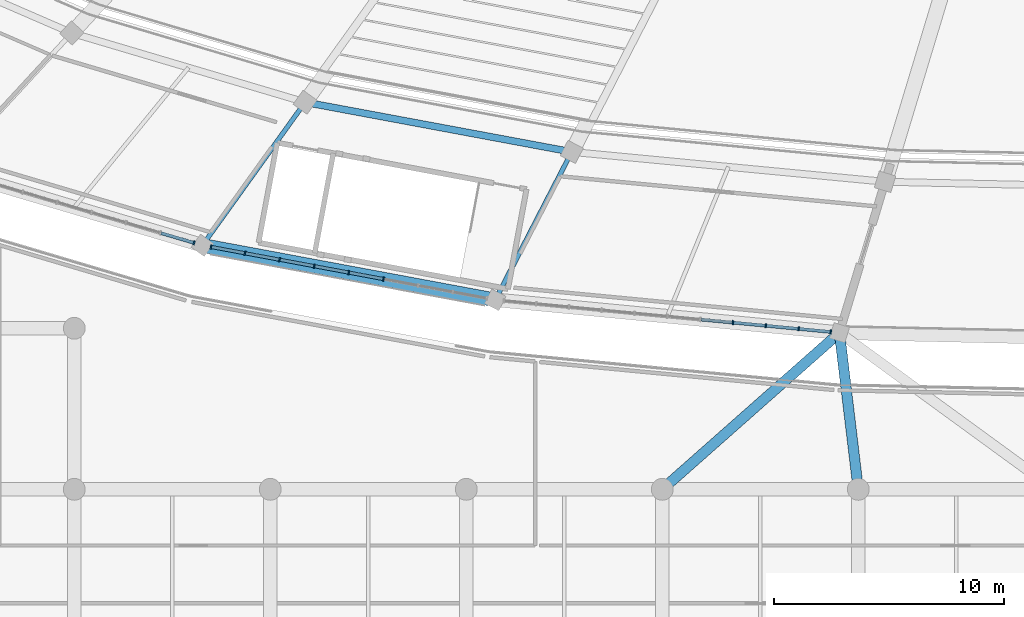
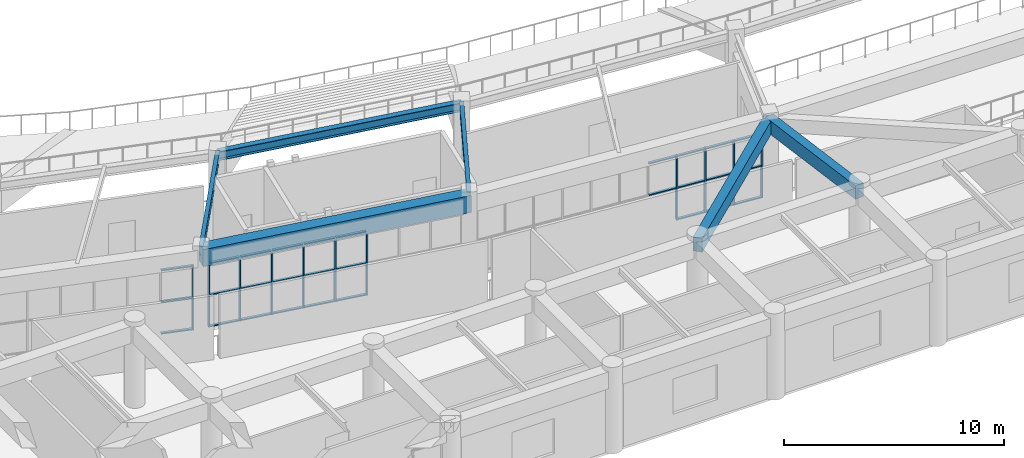
# One storey, part 22 of 137: 40 members, 6 beams, 3 elements without a shape of their own.
"""IFC4 building model written with IfcOpenShell, lengths in metres."""

import ifcopenshell
import ifcopenshell.guid

model = None  # the IFC model being written
_history = None  # IfcOwnerHistory: only IFC2X3 demands one
_inside = {}  # id of a spatial element -> (the spatial element, [elements in it])
_under = {}  # id of a project, library or spatial element -> (it, [spatial elements below it])
_declared = {}  # id of a project -> (the project, [libraries it declares])
_typed = {}  # id of a type object -> (the type object, [elements of that type])
_made_of = {}  # id of a material, layer set ... -> (it, [elements and type objects made of it])


def new_model(schema):
    """Start an empty IFC model of exactly this schema.

    Asked for "IFC4X3", IfcOpenShell would pick the latest addendum, in which some entities
    have other attributes; the version numbers below select the first issue.
    IFC2X3 requires an IfcOwnerHistory on every rooted entity: one is made here for all.
    """
    global model, _history
    if schema == "IFC4X3":
        model = ifcopenshell.file(schema_version=(4, 3, 0, 0))
    else:
        model = ifcopenshell.file(schema=schema)
    _inside.clear()
    _under.clear()
    _declared.clear()
    _typed.clear()
    _made_of.clear()
    _history = None
    if model.schema == "IFC2X3":
        org = make("IfcOrganization", Name="unknown")
        user = make(
            "IfcPersonAndOrganization",
            ThePerson=make("IfcPerson", FamilyName="unknown"),
            TheOrganization=org,
        )
        app = make(
            "IfcApplication",
            ApplicationDeveloper=org,
            Version="unknown",
            ApplicationFullName="unknown",
            ApplicationIdentifier="unknown",
        )
        _history = make(
            "IfcOwnerHistory",
            OwningUser=user,
            OwningApplication=app,
            ChangeAction="ADDED",
            CreationDate=0,
        )
    return model


def make(cls, **values):
    """One entity of the class cls with the attributes given. An attribute that is None is left unset."""
    return model.create_entity(
        cls, **{name: value for name, value in values.items() if value is not None}
    )


def rooted(cls, **values):
    """An entity with a GlobalId (a new one), such as an element, a storey or a relation."""
    return make(cls, GlobalId=ifcopenshell.guid.new(), OwnerHistory=_history, **values)


def si_unit(unit_type, name, prefix=None):
    """IfcSIUnit, for example si_unit("LENGTHUNIT", "METRE", prefix="MILLI")."""
    return make("IfcSIUnit", UnitType=unit_type, Prefix=prefix, Name=name)


def assignment(units):
    """IfcUnitAssignment: the units of a project."""
    return None if units is None else make("IfcUnitAssignment", Units=units)


def point(xyz):
    """IfcCartesianPoint."""
    return None if xyz is None else make("IfcCartesianPoint", Coordinates=xyz)


def direction(xyz):
    """IfcDirection."""
    return None if xyz is None else make("IfcDirection", DirectionRatios=xyz)


def frame(location, z_axis=None, x_axis=None):
    """IfcAxis2Placement3D, a coordinate frame: its origin and axes. An axis left out is left unset."""
    return make(
        "IfcAxis2Placement3D",
        Location=point(location),
        Axis=direction(z_axis),
        RefDirection=direction(x_axis),
    )


def frame_2d(location, x_axis=None):
    """IfcAxis2Placement2D, a coordinate frame in the plane: its origin and x axis."""
    return make(
        "IfcAxis2Placement2D", Location=point(location), RefDirection=direction(x_axis)
    )


def origin():
    """The frame at (0, 0, 0) with its axes left unset."""
    return frame((0.0, 0.0, 0.0))


def origin_2d():
    """The frame at (0, 0) in the plane with its x axis left unset."""
    return frame_2d((0.0, 0.0))


def place(relative_to, where):
    """IfcLocalPlacement: puts the frame where relative to a parent placement (None: the world)."""
    return make(
        "IfcLocalPlacement", PlacementRelTo=relative_to, RelativePlacement=where
    )


def context(
    kind, dimensions, precision=None, world=None, true_north=None, identifier=None
):
    """IfcGeometricRepresentationContext, for example the 3D "Model" context."""
    return make(
        "IfcGeometricRepresentationContext",
        ContextIdentifier=identifier,
        ContextType=kind,
        CoordinateSpaceDimension=dimensions,
        Precision=precision,
        WorldCoordinateSystem=world,
        TrueNorth=true_north,
    )


def subcontext(parent, identifier, kind, view, scale=None):
    """IfcGeometricRepresentationSubContext, for example "Body" below "Model"."""
    return make(
        "IfcGeometricRepresentationSubContext",
        ContextIdentifier=identifier,
        ContextType=kind,
        ParentContext=parent,
        TargetScale=scale,
        TargetView=view,
    )


def project(units=None, contexts=None):
    """IfcProject with its units and contexts."""
    return rooted(
        "IfcProject",
        Name="project",
        RepresentationContexts=contexts,
        UnitsInContext=assignment(units),
    )


def spatial(cls, under=None, at=None, **own):
    """A site, building, storey or space (cls), placed at a placement, below another one or the project."""
    s = rooted(cls, ObjectPlacement=at, **own)
    if under is not None:
        _under.setdefault(under.id(), (under, []))[1].append(s)
    return s


def profile(cls, at=None, kind="AREA", **sizes):
    """A parametric profile (cls). Its sizes go by their IFC names, for example OverallWidth=200.0."""
    return make(cls, ProfileType=kind, Position=at, **sizes)


def rectangle(**sizes):
    """IfcRectangleProfileDef."""
    return profile("IfcRectangleProfileDef", **sizes)


def i_section(**sizes):
    """IfcIShapeProfileDef."""
    return profile("IfcIShapeProfileDef", **sizes)


def extrude(swept, where, along, depth):
    """IfcExtrudedAreaSolid: the profile swept, set in the frame where, extruded along a direction by depth."""
    return make(
        "IfcExtrudedAreaSolid",
        SweptArea=swept,
        Position=where,
        ExtrudedDirection=direction(along),
        Depth=depth,
    )


def shape(context_of_items, identifier, shape_type, items):
    """IfcShapeRepresentation: the items that make up one representation, for example the "Body"."""
    return make(
        "IfcShapeRepresentation",
        ContextOfItems=context_of_items,
        RepresentationIdentifier=identifier,
        RepresentationType=shape_type,
        Items=items,
    )


def material(Name=None, Category=None):
    """IfcMaterial."""
    return make("IfcMaterial", Name=Name, Category=Category)


def layer(
    of_material, thickness, ventilated=None, Name=None, Category=None, Priority=None
):
    """IfcMaterialLayer: one layer of a wall or slab, of a material (None: an air gap)."""
    return make(
        "IfcMaterialLayer",
        Material=of_material,
        LayerThickness=thickness,
        IsVentilated=ventilated,
        Name=Name,
        Category=Category,
        Priority=Priority,
    )


def layer_set(layers, Name=None):
    """IfcMaterialLayerSet."""
    return make("IfcMaterialLayerSet", MaterialLayers=layers, LayerSetName=Name)


def material_profile(
    of_material, cross_section, Name=None, Category=None, Priority=None
):
    """IfcMaterialProfile: a cross section and its material."""
    return make(
        "IfcMaterialProfile",
        Name=Name,
        Material=of_material,
        Profile=cross_section,
        Priority=Priority,
        Category=Category,
    )


def profile_set(profiles, Name=None, composite=None):
    """IfcMaterialProfileSet."""
    return make(
        "IfcMaterialProfileSet",
        Name=Name,
        MaterialProfiles=profiles,
        CompositeProfile=composite,
    )


def made_of(thing, what):
    """Note that an element or type object is made of a material, layer set ...; save() writes the relation."""
    if what is not None:
        _made_of.setdefault(what.id(), (what, []))[1].append(thing)
    return thing


def type_object(cls, material=None, **own):
    """A type object (cls), such as IfcWallType, which elements share."""
    return made_of(rooted(cls, **own), material)


def element(
    cls,
    number,
    at=None,
    inside=None,
    cuts=None,
    type_object=None,
    material=None,
    context=None,
    identifier="Body",
    shape_type=None,
    held_by="IfcProductDefinitionShape",
    body=None,
    shapes=None,
    **own,
):
    """One element of the class cls, such as IfcWall. Its Tag is "e" and its number.

    at: its placement. inside: the storey or other place that contains it. cuts: it is an
    opening in that element (IfcRelVoidsElement). A single representation is given by context,
    identifier, shape_type and body (its items); several are given by shapes. held_by: the class
    of the entity that holds the representations. save() writes the other relations.
    """
    e = rooted(cls, Tag="e%d" % number, ObjectPlacement=at, **own)
    if body is not None:
        shapes = [shape(context, identifier, shape_type, body)]
    if shapes is not None:
        e.Representation = make(held_by, Representations=shapes)
    if inside is not None:
        _inside.setdefault(inside.id(), (inside, []))[1].append(e)
    if cuts is not None:
        rooted(
            "IfcRelVoidsElement", RelatingBuildingElement=cuts, RelatedOpeningElement=e
        )
    if type_object is not None:
        _typed.setdefault(type_object.id(), (type_object, []))[1].append(e)
    return made_of(e, material)


def aggregate(whole, parts):
    """IfcRelAggregates: a whole, such as a stair, and the parts it consists of."""
    return rooted("IfcRelAggregates", RelatingObject=whole, RelatedObjects=parts)


def save(model, path):
    """Write the relations noted so far, then the file.

    IfcRelAggregates (storeys below a building ...), IfcRelContainedInSpatialStructure (elements
    in a storey), IfcRelDefinesByType, IfcRelAssociatesMaterial and IfcRelDeclares: one each for
    every whole, place, type object, material and project.
    """
    for whole, parts in _under.values():
        aggregate(whole, parts)
    for where, things in _inside.values():
        rooted(
            "IfcRelContainedInSpatialStructure",
            RelatedElements=things,
            RelatingStructure=where,
        )
    for kind, things in _typed.values():
        rooted("IfcRelDefinesByType", RelatedObjects=things, RelatingType=kind)
    for what, things in _made_of.values():
        rooted("IfcRelAssociatesMaterial", RelatedObjects=things, RelatingMaterial=what)
    for by, libraries in _declared.values():
        rooted("IfcRelDeclares", RelatingContext=by, RelatedDefinitions=libraries)
    model.write(path)


model = new_model("IFC4")

# Units and contexts
model_context = context("Model", 3, precision=1e-05, world=origin(), true_north=direction((0.0, 1.0)))
body_context = subcontext(model_context, "Body", "Model", "MODEL_VIEW")
ifc_project = project(units=[si_unit("LENGTHUNIT", "METRE"), si_unit("AREAUNIT", "SQUARE_METRE"), si_unit("VOLUMEUNIT", "CUBIC_METRE"), si_unit("PLANEANGLEUNIT", "RADIAN"), si_unit("MASSUNIT", "GRAM", prefix="KILO")], contexts=[model_context])

# Site, building, storey
site_placement = place(None, origin())
site = spatial("IfcSite", under=ifc_project, at=site_placement, CompositionType="ELEMENT")
building_placement = place(site_placement, origin())
building = spatial("IfcBuilding", under=site, at=building_placement, Name="Mphavela Belvedere Stadium", CompositionType="ELEMENT")
storey_placement = place(building_placement, frame((0.0, 0.0, 19.199951171875)))
storey = spatial("IfcBuildingStorey", under=building, at=storey_placement, Name="L04", CompositionType="ELEMENT", Elevation=19.199951171875)

# Beams
ifc_material_1 = material(Name="Concrete C40/50", Category="concrete")
ifc_material_profile_1 = material_profile(ifc_material_1, rectangle(XDim=0.60009765625, YDim=0.949951171875, at=origin_2d()), Name="RC 600x950")
ifc_profile_set_1 = profile_set([ifc_material_profile_1], Name="Concrete C40/50")
beam_type_1 = type_object("IfcBeamType", Name="BM-ENTABLATURE-950", PredefinedType="SPANDREL", material=ifc_profile_set_1)
beam_1_placement = place(storey_placement, frame((65.19873046875, 17.60302734375, 4.074951171875), z_axis=(0.983098571421, -0.183077029882, 0.0), x_axis=(0.183077029882, 0.983098571421, 0.0)))
element("IfcBeam", 1, at=beam_1_placement, inside=storey, type_object=beam_type_1, Name="Circumferential girder L04 R4-34", PredefinedType="SPANDREL", context=body_context, shape_type="SweptSolid", body=[
    extrude(rectangle(XDim=0.60009765625, YDim=0.949951171875, at=origin_2d()), origin(), (0.0, 0.0, 1.0), 12.947265625),
])
ifc_material_2 = material(Name="Concrete C40/50", Category="concrete")
ifc_material_profile_2 = material_profile(ifc_material_2, rectangle(XDim=0.449951171875, YDim=0.75, at=origin_2d()), Name="RC 450x750")
ifc_profile_set_2 = profile_set([ifc_material_profile_2], Name="Concrete C40/50")
beam_type_2 = type_object("IfcBeamType", Name="BM-RC450x750", PredefinedType="BEAM", material=ifc_profile_set_2)
beam_2_placement = place(storey_placement, frame((93.7041015625, 7.0, 4.06494140625), z_axis=(-0.119413444072, 0.99284461492, 0.0), x_axis=(-0.99284461492, -0.119413444072, 0.0)))
element("IfcBeam", 2, at=beam_2_placement, inside=storey, type_object=beam_type_2, Name="South Axial Triumphal Peristyle Portico bowl link girder L04-3", PredefinedType="BEAM", context=body_context, shape_type="SweptSolid", body=[
    extrude(rectangle(XDim=0.449951171875, YDim=0.75, at=origin_2d()), origin(), (0.0, 0.0, 1.0), 6.855224609375),
])
beam_3_placement = place(storey_placement, frame((85.18505859375, 7.0, 4.06494140625), z_axis=(0.749275353375, 0.662258593621, 0.0), x_axis=(-0.662258593621, 0.749275353375, 0.0)))
element("IfcBeam", 3, at=beam_3_placement, inside=storey, type_object=beam_type_2, Name="South Axial Triumphal Peristyle Portico bowl link girder L04-5", PredefinedType="BEAM", context=body_context, shape_type="SweptSolid", body=[
    extrude(rectangle(XDim=0.449951171875, YDim=0.75, at=origin_2d()), origin(), (0.0, 0.0, 1.0), 10.277099609375),
])
ifc_material_3 = material(Name="Steel S355", Category="steel")
ifc_material_profile_3 = material_profile(ifc_material_3, i_section(OverallWidth=0.300048828125, OverallDepth=0.489990234375, WebThickness=0.011962890625, FlangeThickness=0.02294921875, at=origin_2d()), Name="HEA 500")
ifc_profile_set_3 = profile_set([ifc_material_profile_3], Name="Steel S355")
beam_type_3 = type_object("IfcBeamType", Name="BM-STEEL-HEA500", PredefinedType="BEAM", material=ifc_profile_set_3)
beam_4_placement = place(storey_placement, frame((69.662109375, 23.822509765625, 4.304931640625), z_axis=(0.983097725009, -0.18308157494, 0.0), x_axis=(0.18308157494, 0.983097725009, 0.0)))
element("IfcBeam", 4, at=beam_4_placement, inside=storey, type_object=beam_type_3, Name="Circumferential girder L04 R3-34", PredefinedType="BEAM", context=body_context, shape_type="SweptSolid", body=[
    extrude(i_section(OverallWidth=0.300048828125, OverallDepth=0.489990234375, WebThickness=0.011962890625, FlangeThickness=0.02294921875, at=origin_2d()), origin(), (0.0, 0.0, 1.0), 11.786865234375),
])
ifc_material_4 = material(Name="Steel S355", Category="steel")
ifc_material_profile_4 = material_profile(ifc_material_4, i_section(OverallWidth=0.199951171875, OverallDepth=0.5, WebThickness=0.01025390625, FlangeThickness=0.01611328125, at=origin_2d()), Name="IPE 500")
ifc_profile_set_4 = profile_set([ifc_material_profile_4], Name="Steel S355")
beam_type_4 = type_object("IfcBeamType", Name="BM-STEEL-IPE500", PredefinedType="BEAM", material=ifc_profile_set_4)
beam_5_placement = place(storey_placement, frame((69.662109375, 23.822509765625, 4.300048828125), z_axis=(-0.583043812448, -0.812440713385, 0.0), x_axis=(0.812440713385, -0.583043812448, 0.0)))
element("IfcBeam", 5, at=beam_5_placement, inside=storey, type_object=beam_type_4, Name="Radial concourse girder L04 R3R4-34", PredefinedType="BEAM", context=body_context, shape_type="SweptSolid", body=[
    extrude(i_section(OverallWidth=0.199951171875, OverallDepth=0.5, WebThickness=0.01025390625, FlangeThickness=0.01611328125, at=origin_2d()), origin(), (0.0, 0.0, 1.0), 7.6552734375),
])
beam_6_placement = place(storey_placement, frame((81.249755859375, 21.66455078125, 4.300048828125), z_axis=(-0.458951286165, -0.888461432436, 0.0), x_axis=(0.888461432436, -0.458951286165, 0.0)))
element("IfcBeam", 6, at=beam_6_placement, inside=storey, type_object=beam_type_4, Name="Radial concourse girder L04 R3R4-35", PredefinedType="BEAM", context=body_context, shape_type="SweptSolid", body=[
    extrude(i_section(OverallWidth=0.199951171875, OverallDepth=0.5, WebThickness=0.01025390625, FlangeThickness=0.01611328125, at=origin_2d()), origin(), (0.0, 0.0, 1.0), 7.2392578125),
])

# Curtain wall, member
ifc_material_5 = material(Name="Anodised bronze unitised curtain wall framing")
ifc_layer_1 = layer(ifc_material_5, 0.179931640625)
ifc_layer_set_1 = layer_set([ifc_layer_1], Name="Anodised bronze unitised curtain wall framing")
curtain_wall_type_1 = type_object("IfcCurtainWallType", Name="CW-UNIT-01", PredefinedType="USERDEFINED", material=ifc_layer_set_1)
curtain_wall_1_placement = place(storey_placement, origin())
curtain_wall_1 = element("IfcCurtainWall", 7, at=curtain_wall_1_placement, inside=storey, type_object=curtain_wall_type_1, Name="Belvedere colonnade curtain wall L04-33", ObjectType="UNITISED CURTAIN WALL", PredefinedType="USERDEFINED")
ifc_material_6 = material(Name="Anodised bronze extruded aluminium", Category="aluminium")
ifc_material_profile_5 = material_profile(ifc_material_6, rectangle(XDim=0.179931640625, YDim=0.06494140625, at=origin_2d()), Name="CW-MUL 180x65")
ifc_profile_set_5 = profile_set([ifc_material_profile_5], Name="Anodised bronze extruded aluminium")
member_type_1 = type_object("IfcMemberType", Name="CWM-180x65", PredefinedType="MULLION", material=ifc_profile_set_5)
member_1_placement = place(storey_placement, frame((64.833984375, 17.71142578125, 0.0), z_axis=(0.0, 0.0, 1.0), x_axis=(0.284560945489, 0.958657951671, 0.0)))
member_1 = element("IfcMember", 8, at=member_1_placement, type_object=member_type_1, Name="CW-01 mullion 8", PredefinedType="MULLION", context=body_context, shape_type="SweptSolid", body=[
    extrude(rectangle(XDim=0.179931640625, YDim=0.06494140625, at=origin_2d()), origin(), (0.0, 0.0, 1.0), 3.570068359375),
])

# Curtain wall, members
ifc_material_7 = material(Name="Anodised bronze unitised curtain wall framing")
ifc_layer_2 = layer(ifc_material_7, 0.18505859375)
ifc_layer_set_2 = layer_set([ifc_layer_2], Name="Anodised bronze unitised curtain wall framing")
curtain_wall_type_2 = type_object("IfcCurtainWallType", Name="CW-UNIT-02", PredefinedType="USERDEFINED", material=ifc_layer_set_2)
curtain_wall_2_placement = place(storey_placement, origin())
curtain_wall_2 = element("IfcCurtainWall", 9, at=curtain_wall_2_placement, inside=storey, type_object=curtain_wall_type_2, Name="Belvedere colonnade curtain wall L04-34", ObjectType="UNITISED CURTAIN WALL", PredefinedType="USERDEFINED")
member_2_placement = place(storey_placement, frame((65.57275390625, 17.533447265625, 0.0), z_axis=(0.0, 0.0, 1.0), x_axis=(0.183090835302, 0.983096000413, 0.0)))
member_2 = element("IfcMember", 10, at=member_2_placement, type_object=member_type_1, Name="CW-02 mullion 1", PredefinedType="MULLION", context=body_context, shape_type="SweptSolid", body=[
    extrude(rectangle(XDim=0.179931640625, YDim=0.06494140625, at=origin_2d()), origin(), (0.0, 0.0, 1.0), 3.570068359375),
])
member_3_placement = place(storey_placement, frame((67.04638671875, 17.259033203125, 0.0), z_axis=(0.0, 0.0, 1.0), x_axis=(0.183090835302, 0.983096000413, 0.0)))
member_3 = element("IfcMember", 11, at=member_3_placement, type_object=member_type_1, Name="CW-02 mullion 2", PredefinedType="MULLION", context=body_context, shape_type="SweptSolid", body=[
    extrude(rectangle(XDim=0.179931640625, YDim=0.06494140625, at=origin_2d()), origin(), (0.0, 0.0, 1.0), 3.570068359375),
])
member_4_placement = place(storey_placement, frame((68.552001953125, 16.978515625, 0.0), z_axis=(0.0, 0.0, 1.0), x_axis=(0.183090835302, 0.983096000413, 0.0)))
member_4 = element("IfcMember", 12, at=member_4_placement, type_object=member_type_1, Name="CW-02 mullion 3", PredefinedType="MULLION", context=body_context, shape_type="SweptSolid", body=[
    extrude(rectangle(XDim=0.179931640625, YDim=0.06494140625, at=origin_2d()), origin(), (0.0, 0.0, 1.0), 3.570068359375),
])
member_5_placement = place(storey_placement, frame((70.057373046875, 16.6982421875, 0.0), z_axis=(0.0, 0.0, 1.0), x_axis=(0.183090835302, 0.983096000413, 0.0)))
member_5 = element("IfcMember", 13, at=member_5_placement, type_object=member_type_1, Name="CW-02 mullion 4", PredefinedType="MULLION", context=body_context, shape_type="SweptSolid", body=[
    extrude(rectangle(XDim=0.179931640625, YDim=0.06494140625, at=origin_2d()), origin(), (0.0, 0.0, 1.0), 3.570068359375),
])
member_6_placement = place(storey_placement, frame((71.56298828125, 16.41796875, 0.0), z_axis=(0.0, 0.0, 1.0), x_axis=(0.183090835302, 0.983096000413, 0.0)))
member_6 = element("IfcMember", 14, at=member_6_placement, type_object=member_type_1, Name="CW-02 mullion 5", PredefinedType="MULLION", context=body_context, shape_type="SweptSolid", body=[
    extrude(rectangle(XDim=0.179931640625, YDim=0.06494140625, at=origin_2d()), origin(), (0.0, 0.0, 1.0), 3.570068359375),
])
member_7_placement = place(storey_placement, frame((73.068603515625, 16.137451171875, 0.0), z_axis=(0.0, 0.0, 1.0), x_axis=(0.183090835302, 0.983096000413, 0.0)))
member_7 = element("IfcMember", 15, at=member_7_placement, type_object=member_type_1, Name="CW-02 mullion 6", PredefinedType="MULLION", context=body_context, shape_type="SweptSolid", body=[
    extrude(rectangle(XDim=0.179931640625, YDim=0.06494140625, at=origin_2d()), origin(), (0.0, 0.0, 1.0), 3.570068359375),
])

ifc_material_8 = material(Name="Anodised bronze unitised curtain wall framing")
ifc_layer_3 = layer(ifc_material_8, 0.18994140625)
ifc_layer_set_3 = layer_set([ifc_layer_3], Name="Anodised bronze unitised curtain wall framing")
curtain_wall_type_3 = type_object("IfcCurtainWallType", Name="CW-UNIT-03", PredefinedType="USERDEFINED", material=ifc_layer_set_3)
curtain_wall_3_placement = place(storey_placement, origin())
curtain_wall_3 = element("IfcCurtainWall", 16, at=curtain_wall_3_placement, inside=storey, type_object=curtain_wall_type_3, Name="Belvedere colonnade curtain wall L04-35", ObjectType="UNITISED CURTAIN WALL", PredefinedType="USERDEFINED")
member_8_placement = place(storey_placement, frame((88.25927734375, 14.247314453125, 0.0), z_axis=(0.0, 0.0, 1.0), x_axis=(0.094932913757, 0.995483672335, 0.0)))
member_8 = element("IfcMember", 17, at=member_8_placement, type_object=member_type_1, Name="CW-03 mullion 8", PredefinedType="MULLION", context=body_context, shape_type="SweptSolid", body=[
    extrude(rectangle(XDim=0.179931640625, YDim=0.06494140625, at=origin_2d()), origin(), (0.0, 0.0, 1.0), 3.570068359375),
])
member_9_placement = place(storey_placement, frame((89.68603515625, 14.111328125, 0.0), z_axis=(0.0, 0.0, 1.0), x_axis=(0.094932913757, 0.995483672335, 0.0)))
member_9 = element("IfcMember", 18, at=member_9_placement, type_object=member_type_1, Name="CW-03 mullion 9", PredefinedType="MULLION", context=body_context, shape_type="SweptSolid", body=[
    extrude(rectangle(XDim=0.179931640625, YDim=0.06494140625, at=origin_2d()), origin(), (0.0, 0.0, 1.0), 3.570068359375),
])
member_10_placement = place(storey_placement, frame((91.112548828125, 13.975341796875, 0.0), z_axis=(0.0, 0.0, 1.0), x_axis=(0.094932913757, 0.995483672335, 0.0)))
member_10 = element("IfcMember", 19, at=member_10_placement, type_object=member_type_1, Name="CW-03 mullion 10", PredefinedType="MULLION", context=body_context, shape_type="SweptSolid", body=[
    extrude(rectangle(XDim=0.179931640625, YDim=0.06494140625, at=origin_2d()), origin(), (0.0, 0.0, 1.0), 3.570068359375),
])
member_11_placement = place(storey_placement, frame((92.506591796875, 13.84228515625, 0.0), z_axis=(0.0, 0.0, 1.0), x_axis=(0.094932913757, 0.995483672335, 0.0)))
member_11 = element("IfcMember", 20, at=member_11_placement, type_object=member_type_1, Name="CW-03 mullion 11", PredefinedType="MULLION", context=body_context, shape_type="SweptSolid", body=[
    extrude(rectangle(XDim=0.179931640625, YDim=0.06494140625, at=origin_2d()), origin(), (0.0, 0.0, 1.0), 3.570068359375),
])

# Member
ifc_material_9 = material(Name="Anodised bronze extruded aluminium", Category="aluminium")
ifc_material_profile_6 = material_profile(ifc_material_9, rectangle(XDim=0.139892578125, YDim=0.06005859375, at=origin_2d()), Name="CW-TRN 140x60")
ifc_profile_set_6 = profile_set([ifc_material_profile_6], Name="Anodised bronze extruded aluminium")
member_type_2 = type_object("IfcMemberType", Name="CWT-140x60", PredefinedType="USERDEFINED", material=ifc_profile_set_6)
member_12_placement = place(storey_placement, frame((63.400634765625, 18.13671875, 0.030029296875), z_axis=(0.958703767899, -0.28440654953, 0.0), x_axis=(0.28440654953, 0.958703767899, 0.0)))
member_12 = element("IfcMember", 21, at=member_12_placement, type_object=member_type_2, Name="CW-01 transom 7.1", ObjectType="TRANSOM", PredefinedType="USERDEFINED", context=body_context, shape_type="SweptSolid", body=[
    extrude(rectangle(XDim=0.139892578125, YDim=0.06005859375, at=origin_2d()), origin(), (0.0, 0.0, 1.0), 1.462646484375),
])

member_13_placement = place(storey_placement, frame((63.400634765625, 18.13671875, 1.78515625), z_axis=(0.958703767899, -0.28440654953, 0.0), x_axis=(0.28440654953, 0.958703767899, 0.0)))
member_13 = element("IfcMember", 22, at=member_13_placement, type_object=member_type_2, Name="CW-01 transom 7.2", ObjectType="TRANSOM", PredefinedType="USERDEFINED", context=body_context, shape_type="SweptSolid", body=[
    extrude(rectangle(XDim=0.139892578125, YDim=0.06005859375, at=origin_2d()), origin(), (0.0, 0.0, 1.0), 1.462646484375),
])

member_14_placement = place(storey_placement, frame((63.400634765625, 18.13671875, 3.5400390625), z_axis=(0.958703767899, -0.28440654953, 0.0), x_axis=(0.28440654953, 0.958703767899, 0.0)))
member_14 = element("IfcMember", 23, at=member_14_placement, type_object=member_type_2, Name="CW-01 transom 7.3", ObjectType="TRANSOM", PredefinedType="USERDEFINED", context=body_context, shape_type="SweptSolid", body=[
    extrude(rectangle(XDim=0.139892578125, YDim=0.06005859375, at=origin_2d()), origin(), (0.0, 0.0, 1.0), 1.462646484375),
])

aggregate(curtain_wall_1, [member_1, member_12, member_13, member_14])

member_15_placement = place(storey_placement, frame((65.604736328125, 17.527587890625, 0.030029296875), z_axis=(0.9830758938, -0.183198763722, 0.0), x_axis=(0.183198763722, 0.9830758938, 0.0)))
member_15 = element("IfcMember", 24, at=member_15_placement, type_object=member_type_2, Name="CW-02 transom 1.1", ObjectType="TRANSOM", PredefinedType="USERDEFINED", context=body_context, shape_type="SweptSolid", body=[
    extrude(rectangle(XDim=0.139892578125, YDim=0.06005859375, at=origin_2d()), origin(), (0.0, 0.0, 1.0), 1.433837890625),
])

member_16_placement = place(storey_placement, frame((65.604736328125, 17.527587890625, 1.78515625), z_axis=(0.9830758938, -0.183198763722, 0.0), x_axis=(0.183198763722, 0.9830758938, 0.0)))
member_16 = element("IfcMember", 25, at=member_16_placement, type_object=member_type_2, Name="CW-02 transom 1.2", ObjectType="TRANSOM", PredefinedType="USERDEFINED", context=body_context, shape_type="SweptSolid", body=[
    extrude(rectangle(XDim=0.139892578125, YDim=0.06005859375, at=origin_2d()), origin(), (0.0, 0.0, 1.0), 1.433837890625),
])

member_17_placement = place(storey_placement, frame((65.604736328125, 17.527587890625, 3.5400390625), z_axis=(0.9830758938, -0.183198763722, 0.0), x_axis=(0.183198763722, 0.9830758938, 0.0)))
member_17 = element("IfcMember", 26, at=member_17_placement, type_object=member_type_2, Name="CW-02 transom 1.3", ObjectType="TRANSOM", PredefinedType="USERDEFINED", context=body_context, shape_type="SweptSolid", body=[
    extrude(rectangle(XDim=0.139892578125, YDim=0.06005859375, at=origin_2d()), origin(), (0.0, 0.0, 1.0), 1.433837890625),
])

member_18_placement = place(storey_placement, frame((67.078369140625, 17.253173828125, 0.030029296875), z_axis=(0.983088250536, -0.183132442945, 0.0), x_axis=(0.183132442945, 0.983088250536, 0.0)))
member_18 = element("IfcMember", 27, at=member_18_placement, type_object=member_type_2, Name="CW-02 transom 2.1", ObjectType="TRANSOM", PredefinedType="USERDEFINED", context=body_context, shape_type="SweptSolid", body=[
    extrude(rectangle(XDim=0.139892578125, YDim=0.06005859375, at=origin_2d()), origin(), (0.0, 0.0, 1.0), 1.466552734375),
])

member_19_placement = place(storey_placement, frame((67.078369140625, 17.253173828125, 1.78515625), z_axis=(0.983088250536, -0.183132442945, 0.0), x_axis=(0.183132442945, 0.983088250536, 0.0)))
member_19 = element("IfcMember", 28, at=member_19_placement, type_object=member_type_2, Name="CW-02 transom 2.2", ObjectType="TRANSOM", PredefinedType="USERDEFINED", context=body_context, shape_type="SweptSolid", body=[
    extrude(rectangle(XDim=0.139892578125, YDim=0.06005859375, at=origin_2d()), origin(), (0.0, 0.0, 1.0), 1.466552734375),
])

member_20_placement = place(storey_placement, frame((67.078369140625, 17.253173828125, 3.5400390625), z_axis=(0.983088250536, -0.183132442945, 0.0), x_axis=(0.183132442945, 0.983088250536, 0.0)))
member_20 = element("IfcMember", 29, at=member_20_placement, type_object=member_type_2, Name="CW-02 transom 2.3", ObjectType="TRANSOM", PredefinedType="USERDEFINED", context=body_context, shape_type="SweptSolid", body=[
    extrude(rectangle(XDim=0.139892578125, YDim=0.06005859375, at=origin_2d()), origin(), (0.0, 0.0, 1.0), 1.466552734375),
])

member_21_placement = place(storey_placement, frame((68.583984375, 16.97265625, 0.030029296875), z_axis=(0.983088250536, -0.183132442945, 0.0), x_axis=(0.183132442945, 0.983088250536, 0.0)))
member_21 = element("IfcMember", 30, at=member_21_placement, type_object=member_type_2, Name="CW-02 transom 3.1", ObjectType="TRANSOM", PredefinedType="USERDEFINED", context=body_context, shape_type="SweptSolid", body=[
    extrude(rectangle(XDim=0.139892578125, YDim=0.06005859375, at=origin_2d()), origin(), (0.0, 0.0, 1.0), 1.466552734375),
])

member_22_placement = place(storey_placement, frame((68.583984375, 16.97265625, 1.78515625), z_axis=(0.983088250536, -0.183132442945, 0.0), x_axis=(0.183132442945, 0.983088250536, 0.0)))
member_22 = element("IfcMember", 31, at=member_22_placement, type_object=member_type_2, Name="CW-02 transom 3.2", ObjectType="TRANSOM", PredefinedType="USERDEFINED", context=body_context, shape_type="SweptSolid", body=[
    extrude(rectangle(XDim=0.139892578125, YDim=0.06005859375, at=origin_2d()), origin(), (0.0, 0.0, 1.0), 1.466552734375),
])

member_23_placement = place(storey_placement, frame((68.583984375, 16.97265625, 3.5400390625), z_axis=(0.983088250536, -0.183132442945, 0.0), x_axis=(0.183132442945, 0.983088250536, 0.0)))
member_23 = element("IfcMember", 32, at=member_23_placement, type_object=member_type_2, Name="CW-02 transom 3.3", ObjectType="TRANSOM", PredefinedType="USERDEFINED", context=body_context, shape_type="SweptSolid", body=[
    extrude(rectangle(XDim=0.139892578125, YDim=0.06005859375, at=origin_2d()), origin(), (0.0, 0.0, 1.0), 1.466552734375),
])

member_24_placement = place(storey_placement, frame((70.08935546875, 16.6923828125, 0.030029296875), z_axis=(0.983088250536, -0.183132442945, 0.0), x_axis=(0.183132442945, 0.983088250536, 0.0)))
member_24 = element("IfcMember", 33, at=member_24_placement, type_object=member_type_2, Name="CW-02 transom 4.1", ObjectType="TRANSOM", PredefinedType="USERDEFINED", context=body_context, shape_type="SweptSolid", body=[
    extrude(rectangle(XDim=0.139892578125, YDim=0.06005859375, at=origin_2d()), origin(), (0.0, 0.0, 1.0), 1.466552734375),
])

member_25_placement = place(storey_placement, frame((70.08935546875, 16.6923828125, 1.78515625), z_axis=(0.983088250536, -0.183132442945, 0.0), x_axis=(0.183132442945, 0.983088250536, 0.0)))
member_25 = element("IfcMember", 34, at=member_25_placement, type_object=member_type_2, Name="CW-02 transom 4.2", ObjectType="TRANSOM", PredefinedType="USERDEFINED", context=body_context, shape_type="SweptSolid", body=[
    extrude(rectangle(XDim=0.139892578125, YDim=0.06005859375, at=origin_2d()), origin(), (0.0, 0.0, 1.0), 1.466552734375),
])

member_26_placement = place(storey_placement, frame((70.08935546875, 16.6923828125, 3.5400390625), z_axis=(0.983088250536, -0.183132442945, 0.0), x_axis=(0.183132442945, 0.983088250536, 0.0)))
member_26 = element("IfcMember", 35, at=member_26_placement, type_object=member_type_2, Name="CW-02 transom 4.3", ObjectType="TRANSOM", PredefinedType="USERDEFINED", context=body_context, shape_type="SweptSolid", body=[
    extrude(rectangle(XDim=0.139892578125, YDim=0.06005859375, at=origin_2d()), origin(), (0.0, 0.0, 1.0), 1.466552734375),
])

member_27_placement = place(storey_placement, frame((71.594970703125, 16.411865234375, 0.030029296875), z_axis=(0.983088250536, -0.183132442945, 0.0), x_axis=(0.183132442945, 0.983088250536, 0.0)))
member_27 = element("IfcMember", 36, at=member_27_placement, type_object=member_type_2, Name="CW-02 transom 5.1", ObjectType="TRANSOM", PredefinedType="USERDEFINED", context=body_context, shape_type="SweptSolid", body=[
    extrude(rectangle(XDim=0.139892578125, YDim=0.06005859375, at=origin_2d()), origin(), (0.0, 0.0, 1.0), 1.466552734375),
])

member_28_placement = place(storey_placement, frame((71.594970703125, 16.411865234375, 1.78515625), z_axis=(0.983088250536, -0.183132442945, 0.0), x_axis=(0.183132442945, 0.983088250536, 0.0)))
member_28 = element("IfcMember", 37, at=member_28_placement, type_object=member_type_2, Name="CW-02 transom 5.2", ObjectType="TRANSOM", PredefinedType="USERDEFINED", context=body_context, shape_type="SweptSolid", body=[
    extrude(rectangle(XDim=0.139892578125, YDim=0.06005859375, at=origin_2d()), origin(), (0.0, 0.0, 1.0), 1.466552734375),
])

member_29_placement = place(storey_placement, frame((71.594970703125, 16.411865234375, 3.5400390625), z_axis=(0.983088250536, -0.183132442945, 0.0), x_axis=(0.183132442945, 0.983088250536, 0.0)))
member_29 = element("IfcMember", 38, at=member_29_placement, type_object=member_type_2, Name="CW-02 transom 5.3", ObjectType="TRANSOM", PredefinedType="USERDEFINED", context=body_context, shape_type="SweptSolid", body=[
    extrude(rectangle(XDim=0.139892578125, YDim=0.06005859375, at=origin_2d()), origin(), (0.0, 0.0, 1.0), 1.466552734375),
])

aggregate(curtain_wall_2, [member_2, member_3, member_4, member_5, member_6, member_7, member_15, member_16, member_17, member_18, member_19, member_20, member_21, member_22, member_23, member_24, member_25, member_26, member_27, member_28, member_29])

member_30_placement = place(storey_placement, frame((86.865234375, 14.38037109375, 1.78515625), z_axis=(0.995482629973, -0.094943843518, 0.0), x_axis=(0.094943843518, 0.995482629973, 0.0)))
member_30 = element("IfcMember", 39, at=member_30_placement, type_object=member_type_2, Name="CW-03 transom 7.2", ObjectType="TRANSOM", PredefinedType="USERDEFINED", context=body_context, shape_type="SweptSolid", body=[
    extrude(rectangle(XDim=0.139892578125, YDim=0.06005859375, at=origin_2d()), origin(), (0.0, 0.0, 1.0), 1.367919921875),
])

member_31_placement = place(storey_placement, frame((86.865234375, 14.38037109375, 3.5400390625), z_axis=(0.995482629973, -0.094943843518, 0.0), x_axis=(0.094943843518, 0.995482629973, 0.0)))
member_31 = element("IfcMember", 40, at=member_31_placement, type_object=member_type_2, Name="CW-03 transom 7.3", ObjectType="TRANSOM", PredefinedType="USERDEFINED", context=body_context, shape_type="SweptSolid", body=[
    extrude(rectangle(XDim=0.139892578125, YDim=0.06005859375, at=origin_2d()), origin(), (0.0, 0.0, 1.0), 1.367919921875),
])

member_32_placement = place(storey_placement, frame((88.291748046875, 14.244140625, 0.030029296875), z_axis=(0.995482629973, -0.094943843518, 0.0), x_axis=(0.094943843518, 0.995482629973, 0.0)))
member_32 = element("IfcMember", 41, at=member_32_placement, type_object=member_type_2, Name="CW-03 transom 8.1", ObjectType="TRANSOM", PredefinedType="USERDEFINED", context=body_context, shape_type="SweptSolid", body=[
    extrude(rectangle(XDim=0.139892578125, YDim=0.06005859375, at=origin_2d()), origin(), (0.0, 0.0, 1.0), 1.367919921875),
])

member_33_placement = place(storey_placement, frame((88.291748046875, 14.244140625, 1.78515625), z_axis=(0.995482629973, -0.094943843518, 0.0), x_axis=(0.094943843518, 0.995482629973, 0.0)))
member_33 = element("IfcMember", 42, at=member_33_placement, type_object=member_type_2, Name="CW-03 transom 8.2", ObjectType="TRANSOM", PredefinedType="USERDEFINED", context=body_context, shape_type="SweptSolid", body=[
    extrude(rectangle(XDim=0.139892578125, YDim=0.06005859375, at=origin_2d()), origin(), (0.0, 0.0, 1.0), 1.367919921875),
])

member_34_placement = place(storey_placement, frame((88.291748046875, 14.244140625, 3.5400390625), z_axis=(0.995482629973, -0.094943843518, 0.0), x_axis=(0.094943843518, 0.995482629973, 0.0)))
member_34 = element("IfcMember", 43, at=member_34_placement, type_object=member_type_2, Name="CW-03 transom 8.3", ObjectType="TRANSOM", PredefinedType="USERDEFINED", context=body_context, shape_type="SweptSolid", body=[
    extrude(rectangle(XDim=0.139892578125, YDim=0.06005859375, at=origin_2d()), origin(), (0.0, 0.0, 1.0), 1.367919921875),
])

member_35_placement = place(storey_placement, frame((89.71826171875, 14.108154296875, 0.030029296875), z_axis=(0.995482629973, -0.094943843518, 0.0), x_axis=(0.094943843518, 0.995482629973, 0.0)))
member_35 = element("IfcMember", 44, at=member_35_placement, type_object=member_type_2, Name="CW-03 transom 9.1", ObjectType="TRANSOM", PredefinedType="USERDEFINED", context=body_context, shape_type="SweptSolid", body=[
    extrude(rectangle(XDim=0.139892578125, YDim=0.06005859375, at=origin_2d()), origin(), (0.0, 0.0, 1.0), 1.367919921875),
])

member_36_placement = place(storey_placement, frame((89.71826171875, 14.108154296875, 1.78515625), z_axis=(0.995482629973, -0.094943843518, 0.0), x_axis=(0.094943843518, 0.995482629973, 0.0)))
member_36 = element("IfcMember", 45, at=member_36_placement, type_object=member_type_2, Name="CW-03 transom 9.2", ObjectType="TRANSOM", PredefinedType="USERDEFINED", context=body_context, shape_type="SweptSolid", body=[
    extrude(rectangle(XDim=0.139892578125, YDim=0.06005859375, at=origin_2d()), origin(), (0.0, 0.0, 1.0), 1.367919921875),
])

member_37_placement = place(storey_placement, frame((89.71826171875, 14.108154296875, 3.5400390625), z_axis=(0.995482629973, -0.094943843518, 0.0), x_axis=(0.094943843518, 0.995482629973, 0.0)))
member_37 = element("IfcMember", 46, at=member_37_placement, type_object=member_type_2, Name="CW-03 transom 9.3", ObjectType="TRANSOM", PredefinedType="USERDEFINED", context=body_context, shape_type="SweptSolid", body=[
    extrude(rectangle(XDim=0.139892578125, YDim=0.06005859375, at=origin_2d()), origin(), (0.0, 0.0, 1.0), 1.367919921875),
])

member_38_placement = place(storey_placement, frame((91.144775390625, 13.97216796875, 0.030029296875), z_axis=(0.995489719977, -0.094869475701, 0.0), x_axis=(0.094869475701, 0.995489719977, 0.0)))
member_38 = element("IfcMember", 47, at=member_38_placement, type_object=member_type_2, Name="CW-03 transom 10.1", ObjectType="TRANSOM", PredefinedType="USERDEFINED", context=body_context, shape_type="SweptSolid", body=[
    extrude(rectangle(XDim=0.139892578125, YDim=0.06005859375, at=origin_2d()), origin(), (0.0, 0.0, 1.0), 1.335693359375),
])

member_39_placement = place(storey_placement, frame((91.144775390625, 13.97216796875, 1.78515625), z_axis=(0.995489719977, -0.094869475701, 0.0), x_axis=(0.094869475701, 0.995489719977, 0.0)))
member_39 = element("IfcMember", 48, at=member_39_placement, type_object=member_type_2, Name="CW-03 transom 10.2", ObjectType="TRANSOM", PredefinedType="USERDEFINED", context=body_context, shape_type="SweptSolid", body=[
    extrude(rectangle(XDim=0.139892578125, YDim=0.06005859375, at=origin_2d()), origin(), (0.0, 0.0, 1.0), 1.335693359375),
])

member_40_placement = place(storey_placement, frame((91.144775390625, 13.97216796875, 3.5400390625), z_axis=(0.995489719977, -0.094869475701, 0.0), x_axis=(0.094869475701, 0.995489719977, 0.0)))
member_40 = element("IfcMember", 49, at=member_40_placement, type_object=member_type_2, Name="CW-03 transom 10.3", ObjectType="TRANSOM", PredefinedType="USERDEFINED", context=body_context, shape_type="SweptSolid", body=[
    extrude(rectangle(XDim=0.139892578125, YDim=0.06005859375, at=origin_2d()), origin(), (0.0, 0.0, 1.0), 1.335693359375),
])

aggregate(curtain_wall_3, [member_8, member_9, member_10, member_11, member_30, member_31, member_32, member_33, member_34, member_35, member_36, member_37, member_38, member_39, member_40])

save(model, "model.ifc")
